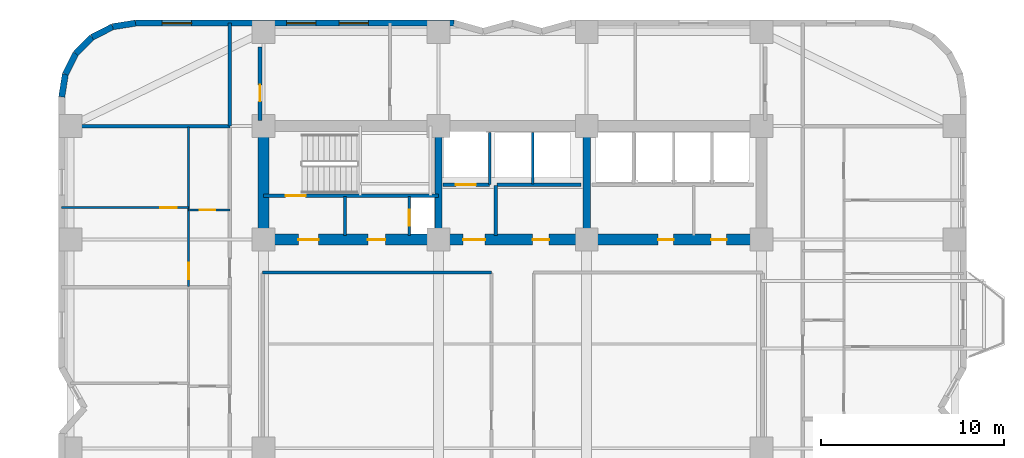
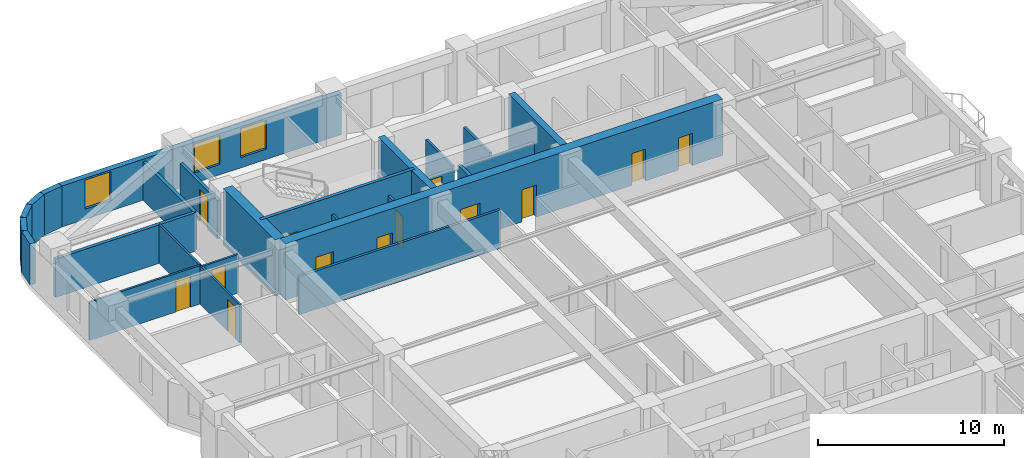
# One storey, part 6 of 9: 25 walls, 13 doors, 3 windows, 16 openings.
"""IFC4 building model written with IfcOpenShell, lengths in metres."""

from ifc_helpers import new_model, si_unit, direction, frame, frame_2d, origin, place, context, subcontext, project, spatial, rectangle, extrude, material, layer, layer_set, type_object, element, fill, save


model = new_model("IFC4")

# Units and contexts
model_context = context("Model", 3, precision=1e-05, world=origin(), true_north=direction((0.0, 1.0)))
body_context = subcontext(model_context, "Body", "Model", "MODEL_VIEW")
ifc_project = project(units=[si_unit("LENGTHUNIT", "METRE"), si_unit("AREAUNIT", "SQUARE_METRE"), si_unit("VOLUMEUNIT", "CUBIC_METRE"), si_unit("PLANEANGLEUNIT", "RADIAN"), si_unit("MASSUNIT", "GRAM", prefix="KILO")], contexts=[model_context])

# Site, building, storey
site_placement = place(None, origin())
site = spatial("IfcSite", under=ifc_project, at=site_placement, CompositionType="ELEMENT")
building_placement = place(site_placement, origin())
building = spatial("IfcBuilding", under=site, at=building_placement, Name="Svetorya Sky Lyceum", CompositionType="ELEMENT")
storey_placement = place(building_placement, frame((0.0, 0.0, 54.699951171875)))
storey = spatial("IfcBuildingStorey", under=building, at=storey_placement, Name="L13", CompositionType="ELEMENT", Elevation=54.699951171875)

# Walls
ifc_material_1 = material(Name="Concrete C40/50", Category="concrete")
ifc_layer_1 = layer(ifc_material_1, 0.39990234375)
ifc_layer_set_1 = layer_set([ifc_layer_1], Name="Concrete C40/50")
wall_type_1 = type_object("IfcWallType", Name="WL-CORE-400", PredefinedType="SHEAR", material=ifc_layer_set_1)
for number, where, z_axis, x_axis, name in (
    (1, (35.14990234375, 39.89990234375, 0.0), (0.0, 0.0, 1.0), (0.0, 1.0, 0.0), "L13 NC Internal Shear Web WEB1"),
    (2, (43.25, 39.89990234375, 0.0), (0.0, 0.0, 1.0), (0.0, 1.0, 0.0), "L13 NC Internal Shear Web WEB2"),
):
    element("IfcWall", number, at=place(storey_placement, frame(where, z_axis=z_axis, x_axis=x_axis)), inside=storey, type_object=wall_type_1, Name=name, PredefinedType="SHEAR", context=body_context, shape_type="SweptSolid", body=[
        extrude(rectangle(XDim=5.60009765625, YDim=0.39990234375, at=frame_2d((2.800048828125, 0.0))), origin(), (0.0, 0.0, 1.0), 3.699951171875),
    ])
ifc_material_2 = material(Name="Concrete C60/75", Category="concrete")
ifc_layer_2 = layer(ifc_material_2, 0.60009765625)
ifc_layer_set_2 = layer_set([ifc_layer_2], Name="Concrete C60/75")
wall_type_2 = type_object("IfcWallType", Name="WL-CORE-600", PredefinedType="SHEAR", material=ifc_layer_set_2)
wall_1_placement = place(storey_placement, frame((25.60009765625, 39.89990234375, 0.0), z_axis=(0.0, 0.0, 1.0), x_axis=(0.0, 1.0, 0.0)))
element("IfcWall", 3, at=wall_1_placement, inside=storey, type_object=wall_type_2, Name="L13 NC West Core Shear Wall", PredefinedType="SHEAR", context=body_context, shape_type="SweptSolid", body=[
    extrude(rectangle(XDim=5.60009765625, YDim=0.60009765625, at=frame_2d((2.800048828125, 0.0))), origin(), (0.0, 0.0, 1.0), 3.699951171875),
])

# Wall, openings, doors
wall_2_placement = place(storey_placement, frame((52.800048828125, 39.60009765625, 0.0), z_axis=(0.0, 0.0, 1.0), x_axis=(-1.0, 0.0, 0.0)))
wall_2 = element("IfcWall", 4, at=wall_2_placement, inside=storey, type_object=wall_type_2, Name="L13 NC Inner Core Shear Wall", PredefinedType="SHEAR", context=body_context, shape_type="SweptSolid", body=[
    extrude(rectangle(XDim=27.199951171875, YDim=0.60009765625, at=frame_2d((13.60009765625, 0.0))), origin(), (0.0, 0.0, 1.0), 3.699951171875),
])
opening_1_placement = place(wall_2_placement, frame((24.199951171875, 0.0, 0.0)))
opening_1 = element("IfcOpeningElement", 5, at=opening_1_placement, cuts=wall_2, Name="Opening D-ST1", PredefinedType="OPENING", context=body_context, shape_type="SweptSolid", body=[
    extrude(rectangle(XDim=1.10009765625, YDim=2.14990234375, at=frame_2d((0.550048828125, 1.074951171875))), frame((0.0, 0.31005859375, 0.0), z_axis=(0.0, -1.0, 0.0), x_axis=(1.0, 0.0, 0.0)), (0.0, 0.0, 1.0), 0.6201171875),
])
opening_2_placement = place(wall_2_placement, frame((20.550048828125, 0.0, 0.0)))
opening_2 = element("IfcOpeningElement", 6, at=opening_2_placement, cuts=wall_2, Name="Opening D-CAC1", PredefinedType="OPENING", context=body_context, shape_type="SweptSolid", body=[
    extrude(rectangle(XDim=0.949951171875, YDim=2.10009765625, at=frame_2d((0.47509765625, 1.050048828125))), frame((0.0, 0.31005859375, 0.0), z_axis=(0.0, -1.0, 0.0), x_axis=(1.0, 0.0, 0.0)), (0.0, 0.0, 1.0), 0.6201171875),
])
opening_3_placement = place(wall_2_placement, frame((15.10009765625, 0.0, 0.0)))
opening_3 = element("IfcOpeningElement", 7, at=opening_3_placement, cuts=wall_2, Name="Opening D-FL1", PredefinedType="OPENING", context=body_context, shape_type="SweptSolid", body=[
    extrude(rectangle(XDim=1.199951171875, YDim=2.14990234375, at=frame_2d((0.60009765625, 1.074951171875))), frame((0.0, 0.31005859375, 0.0), z_axis=(0.0, -1.0, 0.0), x_axis=(1.0, 0.0, 0.0)), (0.0, 0.0, 1.0), 0.6201171875),
])
opening_4_placement = place(wall_2_placement, frame((11.60009765625, 0.0, 0.0)))
opening_4 = element("IfcOpeningElement", 8, at=opening_4_placement, cuts=wall_2, Name="Opening D-RM1", PredefinedType="OPENING", context=body_context, shape_type="SweptSolid", body=[
    extrude(rectangle(XDim=0.89990234375, YDim=2.10009765625, at=frame_2d((0.449951171875, 1.050048828125))), frame((0.0, 0.31005859375, 0.0), z_axis=(0.0, -1.0, 0.0), x_axis=(1.0, 0.0, 0.0)), (0.0, 0.0, 1.0), 0.6201171875),
])
opening_5_placement = place(wall_2_placement, frame((4.800048828125, 0.0, 0.0)))
opening_5 = element("IfcOpeningElement", 9, at=opening_5_placement, cuts=wall_2, Name="Opening D-CWC1", PredefinedType="OPENING", context=body_context, shape_type="SweptSolid", body=[
    extrude(rectangle(XDim=0.85009765625, YDim=2.10009765625, at=frame_2d((0.425048828125, 1.050048828125))), frame((0.0, 0.31005859375, 0.0), z_axis=(0.0, -1.0, 0.0), x_axis=(1.0, 0.0, 0.0)), (0.0, 0.0, 1.0), 0.6201171875),
])
opening_6_placement = place(wall_2_placement, frame((1.89990234375, 0.0, 0.0)))
opening_6 = element("IfcOpeningElement", 10, at=opening_6_placement, cuts=wall_2, Name="Opening D-CWC1", PredefinedType="OPENING", context=body_context, shape_type="SweptSolid", body=[
    extrude(rectangle(XDim=0.85009765625, YDim=2.10009765625, at=frame_2d((0.425048828125, 1.050048828125))), frame((0.0, 0.31005859375, 0.0), z_axis=(0.0, -1.0, 0.0), x_axis=(1.0, 0.0, 0.0)), (0.0, 0.0, 1.0), 0.6201171875),
])
ifc_material_3 = material(Name="Fire-rated galvanized steel core accessible WC door", Category="steel")
door_type_1 = type_object("IfcDoorType", Name="DR-CACC-950", OperationType="SINGLE_SWING_LEFT", PredefinedType="DOOR", material=ifc_material_3)
door_1_placement = place(opening_2_placement, origin())
door_1 = element("IfcDoor", 11, at=door_1_placement, inside=storey, type_object=door_type_1, Name="L13 North Core Accessible WC Door", OperationType="SINGLE_SWING_RIGHT", OverallHeight=2.10009765625, OverallWidth=0.949951171875, PredefinedType="DOOR", context=body_context, shape_type="SweptSolid", body=[
    extrude(rectangle(XDim=0.949951171875, YDim=2.10009765625, at=frame_2d((0.47509765625, 1.050048828125))), frame((0.0, 0.02490234375, 0.0), z_axis=(0.0, -1.0, 0.0), x_axis=(1.0, 0.0, 0.0)), (0.0, 0.0, 1.0), 0.050048828125),
])
fill(opening_2, door_1)
ifc_material_4 = material(Name="Fire-rated galvanized steel core service closet door", Category="steel")
door_type_2 = type_object("IfcDoorType", Name="DR-CWET-850", OperationType="SINGLE_SWING_LEFT", PredefinedType="DOOR", material=ifc_material_4)
door_2_placement = place(opening_5_placement, origin())
door_2 = element("IfcDoor", 12, at=door_2_placement, inside=storey, type_object=door_type_2, Name="L13 North Pantry Door", OperationType="SINGLE_SWING_LEFT", OverallHeight=2.10009765625, OverallWidth=0.85009765625, PredefinedType="DOOR", context=body_context, shape_type="SweptSolid", body=[
    extrude(rectangle(XDim=0.85009765625, YDim=2.10009765625, at=frame_2d((0.425048828125, 1.050048828125))), frame((0.0, 0.02490234375, 0.0), z_axis=(0.0, -1.0, 0.0), x_axis=(1.0, 0.0, 0.0)), (0.0, 0.0, 1.0), 0.050048828125),
])
fill(opening_5, door_2)
door_3_placement = place(opening_6_placement, origin())
door_3 = element("IfcDoor", 13, at=door_3_placement, inside=storey, type_object=door_type_2, Name="L13 North Laundry Door", OperationType="SINGLE_SWING_RIGHT", OverallHeight=2.10009765625, OverallWidth=0.85009765625, PredefinedType="DOOR", context=body_context, shape_type="SweptSolid", body=[
    extrude(rectangle(XDim=0.85009765625, YDim=2.10009765625, at=frame_2d((0.425048828125, 1.050048828125))), frame((0.0, 0.02490234375, 0.0), z_axis=(0.0, -1.0, 0.0), x_axis=(1.0, 0.0, 0.0)), (0.0, 0.0, 1.0), 0.050048828125),
])
fill(opening_6, door_3)
ifc_material_5 = material(Name="Powder-coated insulated galvanized stair fire door")
door_type_3 = type_object("IfcDoorType", Name="DR-FIRE-1100", OperationType="SINGLE_SWING_LEFT", PredefinedType="DOOR", material=ifc_material_5)
door_4_placement = place(opening_1_placement, origin())
door_4 = element("IfcDoor", 14, at=door_4_placement, inside=storey, type_object=door_type_3, Name="L13 North Stair Airlock Door", OperationType="SINGLE_SWING_LEFT", OverallHeight=2.14990234375, OverallWidth=1.10009765625, PredefinedType="DOOR", context=body_context, shape_type="SweptSolid", body=[
    extrude(rectangle(XDim=1.10009765625, YDim=2.14990234375, at=frame_2d((0.550048828125, 1.074951171875))), frame((0.0, 0.02490234375, 0.0), z_axis=(0.0, -1.0, 0.0), x_axis=(1.0, 0.0, 0.0)), (0.0, 0.0, 1.0), 0.050048828125),
])
fill(opening_1, door_4)
ifc_material_6 = material(Name="Powder-coated insulated galvanized fire door")
door_type_4 = type_object("IfcDoorType", Name="DR-FIRE-1200", OperationType="SINGLE_SWING_LEFT", PredefinedType="DOOR", material=ifc_material_6)
door_5_placement = place(opening_3_placement, origin())
door_5 = element("IfcDoor", 15, at=door_5_placement, inside=storey, type_object=door_type_4, Name="L13 North Firefighting Lift Lobby Door", OperationType="SINGLE_SWING_RIGHT", OverallHeight=2.14990234375, OverallWidth=1.199951171875, PredefinedType="DOOR", context=body_context, shape_type="SweptSolid", body=[
    extrude(rectangle(XDim=1.199951171875, YDim=2.14990234375, at=frame_2d((0.60009765625, 1.074951171875))), frame((0.0, 0.02490234375, 0.0), z_axis=(0.0, -1.0, 0.0), x_axis=(1.0, 0.0, 0.0)), (0.0, 0.0, 1.0), 0.050048828125),
])
fill(opening_3, door_5)
ifc_material_7 = material(Name="Lacquered birch veneer internal door")
door_type_5 = type_object("IfcDoorType", Name="DR-INT-900", OperationType="SINGLE_SWING_LEFT", PredefinedType="DOOR", material=ifc_material_7)
door_6_placement = place(opening_4_placement, origin())
door_6 = element("IfcDoor", 16, at=door_6_placement, inside=storey, type_object=door_type_5, Name="L13 North Laundry Door", OperationType="SINGLE_SWING_RIGHT", OverallHeight=2.10009765625, OverallWidth=0.89990234375, PredefinedType="DOOR", context=body_context, shape_type="SweptSolid", body=[
    extrude(rectangle(XDim=0.89990234375, YDim=2.10009765625, at=frame_2d((0.449951171875, 1.050048828125))), frame((0.0, 0.02490234375, 0.0), z_axis=(0.0, -1.0, 0.0), x_axis=(1.0, 0.0, 0.0)), (0.0, 0.0, 1.0), 0.050048828125),
])
fill(opening_4, door_6)

# Wall, openings, windows
ifc_material_8 = material(Name="Putilovo limestone rainscreen on autoclaved cellular masonry", Category="masonry")
ifc_layer_3 = layer(ifc_material_8, 0.340087890625)
ifc_layer_set_3 = layer_set([ifc_layer_3], Name="Putilovo limestone rainscreen on autoclaved cellular masonry")
wall_type_3 = type_object("IfcWallType", Name="WL-EXT-340", PredefinedType="SOLIDWALL", material=ifc_layer_set_3)
wall_3_placement = place(storey_placement, frame((36.0, 51.429931640625, 0.0), z_axis=(0.0, 0.0, 1.0), x_axis=(-1.0, 0.0, 0.0)))
wall_3 = element("IfcWall", 17, at=wall_3_placement, inside=storey, type_object=wall_type_3, Name="L13 Limestone Exterior Wall 34M", PredefinedType="SOLIDWALL", context=body_context, shape_type="SweptSolid", body=[
    extrude(rectangle(XDim=17.39990234375, YDim=0.340087890625, at=frame_2d((8.699951171875, 0.0))), origin(), (0.0, 0.0, 1.0), 2.699951171875),
])
opening_7_placement = place(wall_3_placement, frame((4.679931640625, 0.0, 0.679931640625)))
opening_7 = element("IfcOpeningElement", 18, at=opening_7_placement, cuts=wall_3, Name="Opening W-R4", PredefinedType="OPENING", context=body_context, shape_type="SweptSolid", body=[
    extrude(rectangle(XDim=1.60009765625, YDim=1.89990234375, at=frame_2d((0.800048828125, 0.949951171875))), frame((0.0, 0.179931640625, 0.0), z_axis=(0.0, -1.0, 0.0), x_axis=(1.0, 0.0, 0.0)), (0.0, 0.0, 1.0), 0.360107421875),
])
opening_8_placement = place(wall_3_placement, frame((7.550048828125, 0.0, 0.679931640625)))
opening_8 = element("IfcOpeningElement", 19, at=opening_8_placement, cuts=wall_3, Name="Opening W-R4", PredefinedType="OPENING", context=body_context, shape_type="SweptSolid", body=[
    extrude(rectangle(XDim=1.60009765625, YDim=1.89990234375, at=frame_2d((0.800048828125, 0.949951171875))), frame((0.0, 0.179931640625, 0.0), z_axis=(0.0, -1.0, 0.0), x_axis=(1.0, 0.0, 0.0)), (0.0, 0.0, 1.0), 0.360107421875),
])
opening_9_placement = place(wall_3_placement, frame((14.340087890625, 0.0, 0.679931640625)))
opening_9 = element("IfcOpeningElement", 20, at=opening_9_placement, cuts=wall_3, Name="Opening W-R4", PredefinedType="OPENING", context=body_context, shape_type="SweptSolid", body=[
    extrude(rectangle(XDim=1.60009765625, YDim=1.89990234375, at=frame_2d((0.800048828125, 0.949951171875))), frame((0.0, 0.179931640625, 0.0), z_axis=(0.0, -1.0, 0.0), x_axis=(1.0, 0.0, 0.0)), (0.0, 0.0, 1.0), 0.360107421875),
])
ifc_material_9 = material(Name="Thermally broken aluminium frame with triple low-E glazing", Category="aluminium")
window_type = type_object("IfcWindowType", Name="WN-RES-160", PartitioningType="DOUBLE_PANEL_VERTICAL", PredefinedType="WINDOW", material=ifc_material_9)
window_1_placement = place(opening_7_placement, origin())
window_1 = element("IfcWindow", 21, at=window_1_placement, inside=storey, type_object=window_type, Name="L13 Facade Window W-R4.34M.1", OverallHeight=1.89990234375, OverallWidth=1.60009765625, PartitioningType="SINGLE_PANEL", PredefinedType="WINDOW", context=body_context, shape_type="SweptSolid", body=[
    extrude(rectangle(XDim=1.60009765625, YDim=1.89990234375, at=frame_2d((0.800048828125, 0.949951171875))), frame((0.0, 0.030029296875, 0.0), z_axis=(0.0, -1.0, 0.0), x_axis=(1.0, 0.0, 0.0)), (0.0, 0.0, 1.0), 0.06005859375),
])
fill(opening_7, window_1)
window_2_placement = place(opening_8_placement, origin())
window_2 = element("IfcWindow", 22, at=window_2_placement, inside=storey, type_object=window_type, Name="L13 Facade Window W-R4.34M.2", OverallHeight=1.89990234375, OverallWidth=1.60009765625, PartitioningType="SINGLE_PANEL", PredefinedType="WINDOW", context=body_context, shape_type="SweptSolid", body=[
    extrude(rectangle(XDim=1.60009765625, YDim=1.89990234375, at=frame_2d((0.800048828125, 0.949951171875))), frame((0.0, 0.030029296875, 0.0), z_axis=(0.0, -1.0, 0.0), x_axis=(1.0, 0.0, 0.0)), (0.0, 0.0, 1.0), 0.06005859375),
])
fill(opening_8, window_2)
window_3_placement = place(opening_9_placement, origin())
window_3 = element("IfcWindow", 23, at=window_3_placement, inside=storey, type_object=window_type, Name="L13 Facade Window W-R4.34M.3", OverallHeight=1.89990234375, OverallWidth=1.60009765625, PartitioningType="SINGLE_PANEL", PredefinedType="WINDOW", context=body_context, shape_type="SweptSolid", body=[
    extrude(rectangle(XDim=1.60009765625, YDim=1.89990234375, at=frame_2d((0.800048828125, 0.949951171875))), frame((0.0, 0.030029296875, 0.0), z_axis=(0.0, -1.0, 0.0), x_axis=(1.0, 0.0, 0.0)), (0.0, 0.0, 1.0), 0.06005859375),
])
fill(opening_9, window_3)

# Walls
wall_4_placement = place(storey_placement, frame((18.60009765625, 51.429931640625, 0.0), z_axis=(0.0, 0.0, 1.0), x_axis=(-0.98771582066, -0.156260864002, 0.0)))
element("IfcWall", 24, at=wall_4_placement, inside=storey, type_object=wall_type_3, Name="L13 Limestone Exterior Wall 35M", PredefinedType="SOLIDWALL", context=body_context, shape_type="SweptSolid", body=[
    extrude(rectangle(XDim=1.2607421875, YDim=0.340087890625, at=frame_2d((0.63037109375, 0.0))), origin(), (0.0, 0.0, 1.0), 2.699951171875),
])
for number, where, z_axis, x_axis, name in (
    (25, (17.354736328125, 51.23291015625, 0.0), (0.0, 0.0, 1.0), (-0.890993689142, -0.454015689056, 0.0), "L13 Limestone Exterior Wall 36M"),
    (26, (16.231201171875, 50.660400390625, 0.0), (0.0, 0.0, 1.0), (-0.707106781187, -0.707106781187, 0.0), "L13 Limestone Exterior Wall 37M"),
    (27, (15.339599609375, 49.768798828125, 0.0), (0.0, 0.0, 1.0), (-0.454015689056, -0.890993689142, 0.0), "L13 Limestone Exterior Wall 38M"),
):
    element("IfcWall", number, at=place(storey_placement, frame(where, z_axis=z_axis, x_axis=x_axis)), inside=storey, type_object=wall_type_3, Name=name, PredefinedType="SOLIDWALL", context=body_context, shape_type="SweptSolid", body=[
        extrude(rectangle(XDim=1.260986328125, YDim=0.340087890625, at=frame_2d((0.63037109375, 0.0))), origin(), (0.0, 0.0, 1.0), 2.699951171875),
    ])
wall_5_placement = place(storey_placement, frame((14.76708984375, 48.645263671875, 0.0), z_axis=(0.0, 0.0, 1.0), x_axis=(-0.156260864002, -0.98771582066, 0.0)))
element("IfcWall", 28, at=wall_5_placement, inside=storey, type_object=wall_type_3, Name="L13 Limestone Exterior Wall 39M", PredefinedType="SOLIDWALL", context=body_context, shape_type="SweptSolid", body=[
    extrude(rectangle(XDim=1.2607421875, YDim=0.340087890625, at=frame_2d((0.63037109375, 0.0))), origin(), (0.0, 0.0, 1.0), 2.699951171875),
])

# Wall, opening, door
ifc_material_10 = material(Name="Twin-stud galvanized framing with double fireboard", Category="gypsum")
ifc_layer_4 = layer(ifc_material_10, 0.1201171875)
ifc_layer_set_4 = layer_set([ifc_layer_4], Name="Twin-stud galvanized framing with double fireboard")
wall_type_4 = type_object("IfcWallType", Name="WL-PART-120", PredefinedType="PARTITIONING", material=ifc_layer_set_4)
wall_6_placement = place(storey_placement, frame((21.5, 41.219970703125, 0.0), z_axis=(0.0, 0.0, 1.0), x_axis=(1.0, 0.0, 0.0)))
wall_6 = element("IfcWall", 29, at=wall_6_placement, inside=storey, type_object=wall_type_4, Name="L13 Interior Partition W4-WH1", PredefinedType="PARTITIONING", context=body_context, shape_type="SweptSolid", body=[
    extrude(rectangle(XDim=2.25, YDim=0.1201171875, at=frame_2d((1.125, 0.0))), origin(), (0.0, 0.0, 1.0), 2.530029296875),
])
opening_10_placement = place(wall_6_placement, frame((0.60009765625, 0.0, 0.0)))
opening_10 = element("IfcOpeningElement", 30, at=opening_10_placement, cuts=wall_6, Name="Opening D-BT1", PredefinedType="OPENING", context=body_context, shape_type="SweptSolid", body=[
    extrude(rectangle(XDim=0.85009765625, YDim=2.10009765625, at=frame_2d((0.425048828125, 1.050048828125))), frame((0.0, 0.070068359375, 0.0), z_axis=(0.0, -1.0, 0.0), x_axis=(1.0, 0.0, 0.0)), (0.0, 0.0, 1.0), 0.14013671875),
])
ifc_material_11 = material(Name="Moisture-resistant laminate bathroom door")
door_type_6 = type_object("IfcDoorType", Name="DR-WET-850", OperationType="SINGLE_SWING_LEFT", PredefinedType="DOOR", material=ifc_material_11)
door_7_placement = place(opening_10_placement, origin())
door_7 = element("IfcDoor", 31, at=door_7_placement, inside=storey, type_object=door_type_6, Name="Apartment W4 Bathroom Door", OperationType="SINGLE_SWING_RIGHT", OverallHeight=2.10009765625, OverallWidth=0.85009765625, PredefinedType="DOOR", context=body_context, shape_type="SweptSolid", body=[
    extrude(rectangle(XDim=0.85009765625, YDim=2.10009765625, at=frame_2d((0.425048828125, 1.050048828125))), frame((0.0, 0.02490234375, 0.0), z_axis=(0.0, -1.0, 0.0), x_axis=(1.0, 0.0, 0.0)), (0.0, 0.0, 1.0), 0.050048828125),
])
fill(opening_10, door_7)

wall_7_placement = place(storey_placement, frame((14.570068359375, 41.35009765625, 0.0), z_axis=(0.0, 0.0, 1.0), x_axis=(1.0, 0.0, 0.0)))
wall_7 = element("IfcWall", 32, at=wall_7_placement, inside=storey, type_object=wall_type_4, Name="L13 Interior Partition W4-WL1", PredefinedType="PARTITIONING", context=body_context, shape_type="SweptSolid", body=[
    extrude(rectangle(XDim=6.929931640625, YDim=0.1201171875, at=frame_2d((3.46484375, 0.0))), origin(), (0.0, 0.0, 1.0), 2.530029296875),
])
opening_11_placement = place(wall_7_placement, frame((5.3798828125, 0.0, 0.0)))
opening_11 = element("IfcOpeningElement", 33, at=opening_11_placement, cuts=wall_7, Name="Opening D-RM1", PredefinedType="OPENING", context=body_context, shape_type="SweptSolid", body=[
    extrude(rectangle(XDim=0.89990234375, YDim=2.10009765625, at=frame_2d((0.449951171875, 1.050048828125))), frame((0.0, 0.070068359375, 0.0), z_axis=(0.0, -1.0, 0.0), x_axis=(1.0, 0.0, 0.0)), (0.0, 0.0, 1.0), 0.14013671875),
])
door_8_placement = place(opening_11_placement, origin())
door_8 = element("IfcDoor", 34, at=door_8_placement, inside=storey, type_object=door_type_5, Name="Apartment W4 Bedroom 1 Door", OperationType="SINGLE_SWING_RIGHT", OverallHeight=2.10009765625, OverallWidth=0.89990234375, PredefinedType="DOOR", context=body_context, shape_type="SweptSolid", body=[
    extrude(rectangle(XDim=0.89990234375, YDim=2.10009765625, at=frame_2d((0.449951171875, 1.050048828125))), frame((0.0, 0.02490234375, 0.0), z_axis=(0.0, -1.0, 0.0), x_axis=(1.0, 0.0, 0.0)), (0.0, 0.0, 1.0), 0.050048828125),
])
fill(opening_11, door_8)

wall_8_placement = place(storey_placement, frame((21.5, 37.0400390625, 0.0), z_axis=(0.0, 0.0, 1.0), x_axis=(0.0, 1.0, 0.0)))
wall_8 = element("IfcWall", 35, at=wall_8_placement, inside=storey, type_object=wall_type_4, Name="L13 Interior Partition W4-WV", PredefinedType="PARTITIONING", context=body_context, shape_type="SweptSolid", body=[
    extrude(rectangle(XDim=8.719970703125, YDim=0.1201171875, at=frame_2d((4.35986328125, 0.0))), origin(), (0.0, 0.0, 1.0), 2.530029296875),
])
opening_12_placement = place(wall_8_placement, frame((0.409912109375, 0.0, 0.0)))
opening_12 = element("IfcOpeningElement", 36, at=opening_12_placement, cuts=wall_8, Name="Opening D-RM1", PredefinedType="OPENING", context=body_context, shape_type="SweptSolid", body=[
    extrude(rectangle(XDim=0.89990234375, YDim=2.10009765625, at=frame_2d((0.449951171875, 1.050048828125))), frame((0.0, 0.070068359375, 0.0), z_axis=(0.0, -1.0, 0.0), x_axis=(1.0, 0.0, 0.0)), (0.0, 0.0, 1.0), 0.14013671875),
])
door_9_placement = place(opening_12_placement, origin())
door_9 = element("IfcDoor", 37, at=door_9_placement, inside=storey, type_object=door_type_5, Name="Apartment W4 Living Door", OperationType="SINGLE_SWING_LEFT", OverallHeight=2.10009765625, OverallWidth=0.89990234375, PredefinedType="DOOR", context=body_context, shape_type="SweptSolid", body=[
    extrude(rectangle(XDim=0.89990234375, YDim=2.10009765625, at=frame_2d((0.449951171875, 1.050048828125))), frame((0.0, 0.02490234375, 0.0), z_axis=(0.0, -1.0, 0.0), x_axis=(1.0, 0.0, 0.0)), (0.0, 0.0, 1.0), 0.050048828125),
])
fill(opening_12, door_9)

ifc_material_12 = material(Name="Autoclaved cellular masonry blockwork with acoustic render", Category="masonry")
ifc_layer_5 = layer(ifc_material_12, 0.14990234375)
ifc_layer_set_5 = layer_set([ifc_layer_5], Name="Autoclaved cellular masonry blockwork with acoustic render")
wall_type_5 = type_object("IfcWallType", Name="WL-PART-150", PredefinedType="PARTITIONING", material=ifc_layer_set_5)
wall_9_placement = place(storey_placement, frame((33.550048828125, 39.820068359375, 0.0), z_axis=(0.0, 0.0, 1.0), x_axis=(0.0, 1.0, 0.0)))
wall_9 = element("IfcWall", 38, at=wall_9_placement, inside=storey, type_object=wall_type_5, Name="L13 Interior Partition NC-RSRW", PredefinedType="PARTITIONING", context=body_context, shape_type="SweptSolid", body=[
    extrude(rectangle(XDim=2.1298828125, YDim=0.14990234375, at=frame_2d((1.06494140625, 0.0))), origin(), (0.0, 0.0, 1.0), 2.530029296875),
])
opening_13_placement = place(wall_9_placement, frame((0.550048828125, 0.0, 0.0)))
opening_13 = element("IfcOpeningElement", 39, at=opening_13_placement, cuts=wall_9, Name="Opening D-SH1", PredefinedType="OPENING", context=body_context, shape_type="SweptSolid", body=[
    extrude(rectangle(XDim=0.85009765625, YDim=2.050048828125, at=frame_2d((0.425048828125, 1.02490234375))), frame((0.0, 0.0849609375, 0.0), z_axis=(0.0, -1.0, 0.0), x_axis=(1.0, 0.0, 0.0)), (0.0, 0.0, 1.0), 0.169921875),
])
ifc_material_13 = material(Name="Insulated galvanized riser inspection fire door")
door_type_7 = type_object("IfcDoorType", Name="DR-SHFT-850", OperationType="SINGLE_SWING_LEFT", PredefinedType="TRAPDOOR", material=ifc_material_13)
door_10_placement = place(opening_13_placement, origin())
door_10 = element("IfcDoor", 40, at=door_10_placement, inside=storey, type_object=door_type_7, Name="L13 North Riser Access Door", OperationType="SINGLE_SWING_LEFT", OverallHeight=2.050048828125, OverallWidth=0.85009765625, PredefinedType="TRAPDOOR", context=body_context, shape_type="SweptSolid", body=[
    extrude(rectangle(XDim=0.85009765625, YDim=2.050048828125, at=frame_2d((0.425048828125, 1.02490234375))), frame((0.0, 0.02490234375, 0.0), z_axis=(0.0, -1.0, 0.0), x_axis=(1.0, 0.0, 0.0)), (0.0, 0.0, 1.0), 0.050048828125),
])
fill(opening_13, door_10)

# Walls
wall_10_placement = place(storey_placement, frame((30.050048828125, 39.820068359375, 0.0), z_axis=(0.0, 0.0, 1.0), x_axis=(0.0, 1.0, 0.0)))
element("IfcWall", 41, at=wall_10_placement, inside=storey, type_object=wall_type_5, Name="L13 Interior Partition NC-NWD1", PredefinedType="PARTITIONING", context=body_context, shape_type="SweptSolid", body=[
    extrude(rectangle(XDim=2.1298828125, YDim=0.14990234375, at=frame_2d((1.06494140625, 0.0))), origin(), (0.0, 0.0, 1.0), 2.530029296875),
])
wall_11_placement = place(storey_placement, frame((37.949951171875, 42.60009765625, 0.0), z_axis=(0.0, 0.0, 1.0), x_axis=(0.0, 1.0, 0.0)))
element("IfcWall", 42, at=wall_11_placement, inside=storey, type_object=wall_type_5, Name="L13 Interior Partition NC-FL1SIDE", PredefinedType="PARTITIONING", context=body_context, shape_type="SweptSolid", body=[
    extrude(rectangle(XDim=2.849853515625, YDim=0.14990234375, at=frame_2d((1.4248046875, 0.0))), origin(), (0.0, 0.0, 1.0), 2.530029296875),
])
wall_12_placement = place(storey_placement, frame((40.300048828125, 42.64990234375, 0.0), z_axis=(0.0, 0.0, 1.0), x_axis=(0.0, 1.0, 0.0)))
element("IfcWall", 43, at=wall_12_placement, inside=storey, type_object=wall_type_5, Name="L13 Interior Partition NC-PM-D1", PredefinedType="PARTITIONING", context=body_context, shape_type="SweptSolid", body=[
    extrude(rectangle(XDim=2.800048828125, YDim=0.14990234375, at=frame_2d((1.39990234375, 0.0))), origin(), (0.0, 0.0, 1.0), 2.530029296875),
])
wall_13_placement = place(storey_placement, frame((25.550048828125, 37.800048828125, 0.0), z_axis=(0.0, 0.0, 1.0), x_axis=(1.0, 0.0, 0.0)))
element("IfcWall", 44, at=wall_13_placement, inside=storey, type_object=wall_type_5, Name="L13 Interior Partition CN-MID-W", PredefinedType="PARTITIONING", context=body_context, shape_type="SweptSolid", body=[
    extrude(rectangle(XDim=12.5, YDim=0.14990234375, at=frame_2d((6.25, 0.0))), origin(), (0.0, 0.0, 1.0), 2.530029296875),
])

# Wall, opening, door
ifc_material_14 = material(Name="Autoclaved cellular masonry blockwork with gypsum plaster", Category="masonry")
ifc_layer_6 = layer(ifc_material_14, 0.199951171875)
ifc_layer_set_6 = layer_set([ifc_layer_6], Name="Autoclaved cellular masonry blockwork with gypsum plaster")
wall_type_6 = type_object("IfcWallType", Name="WL-PART-200", PredefinedType="PARTITIONING", material=ifc_layer_set_6)
wall_14_placement = place(storey_placement, frame((37.949951171875, 42.60009765625, 0.0), z_axis=(0.0, 0.0, 1.0), x_axis=(-1.0, 0.0, 0.0)))
wall_14 = element("IfcWall", 45, at=wall_14_placement, inside=storey, type_object=wall_type_6, Name="L13 Interior Partition NC-FL1W", PredefinedType="PARTITIONING", context=body_context, shape_type="SweptSolid", body=[
    extrude(rectangle(XDim=2.550048828125, YDim=0.199951171875, at=frame_2d((1.27490234375, 0.0))), origin(), (0.0, 0.0, 1.0), 2.300048828125),
])
opening_14_placement = place(wall_14_placement, frame((0.75, 0.0, 0.0)))
opening_14 = element("IfcOpeningElement", 46, at=opening_14_placement, cuts=wall_14, Name="Opening LD-FL", PredefinedType="OPENING", context=body_context, shape_type="SweptSolid", body=[
    extrude(rectangle(XDim=1.10009765625, YDim=2.14990234375, at=frame_2d((0.550048828125, 1.074951171875))), frame((0.0, 0.10986328125, 0.0), z_axis=(0.0, -1.0, 0.0), x_axis=(1.0, 0.0, 0.0)), (0.0, 0.0, 1.0), 0.219970703125),
])
ifc_material_15 = material(Name="Fire-rated stainless AISI 304 firefighting lift landing door")
door_type_8 = type_object("IfcDoorType", Name="DR-LIFT-1100", OperationType="SLIDING_TO_LEFT", PredefinedType="DOOR", material=ifc_material_15)
door_11_placement = place(opening_14_placement, origin())
door_11 = element("IfcDoor", 47, at=door_11_placement, inside=storey, type_object=door_type_8, Name="L13 Firefighting Lift FL1 Landing Door", OperationType="SLIDING_TO_LEFT", OverallHeight=2.14990234375, OverallWidth=1.10009765625, PredefinedType="DOOR", context=body_context, shape_type="SweptSolid", body=[
    extrude(rectangle(XDim=1.10009765625, YDim=2.14990234375, at=frame_2d((0.550048828125, 1.074951171875))), frame((0.0, 0.02490234375, 0.0), z_axis=(0.0, -1.0, 0.0), x_axis=(1.0, 0.0, 0.0)), (0.0, 0.0, 1.0), 0.050048828125),
])
fill(opening_14, door_11)

# Walls
wall_15_placement = place(storey_placement, frame((38.280029296875, 39.820068359375, 0.0), z_axis=(0.0, 0.0, 1.0), x_axis=(0.0, 1.0, 0.0)))
element("IfcWall", 48, at=wall_15_placement, inside=storey, type_object=wall_type_6, Name="L13 Interior Partition NC-FFLDIV", PredefinedType="PARTITIONING", context=body_context, shape_type="SweptSolid", body=[
    extrude(rectangle(XDim=2.72998046875, YDim=0.199951171875, at=frame_2d((1.364990234375, 0.0))), origin(), (0.0, 0.0, 1.0), 2.530029296875),
])
wall_16_placement = place(storey_placement, frame((42.949951171875, 42.60009765625, 0.0), z_axis=(0.0, 0.0, 1.0), x_axis=(-1.0, 0.0, 0.0)))
element("IfcWall", 49, at=wall_16_placement, inside=storey, type_object=wall_type_6, Name="L13 Interior Partition NC-PM12W", PredefinedType="PARTITIONING", context=body_context, shape_type="SweptSolid", body=[
    extrude(rectangle(XDim=4.599853515625, YDim=0.199951171875, at=frame_2d((2.2998046875, 0.0))), origin(), (0.0, 0.0, 1.0), 2.300048828125),
])
wall_17_placement = place(storey_placement, frame((14.989990234375, 45.800048828125, 0.0), z_axis=(0.0, 0.0, 1.0), x_axis=(1.0, 0.0, 0.0)))
element("IfcWall", 50, at=wall_17_placement, inside=storey, type_object=wall_type_6, Name="L13 Interior Partition W-CAP-N", PredefinedType="PARTITIONING", context=body_context, shape_type="SweptSolid", body=[
    extrude(rectangle(XDim=8.760009765625, YDim=0.199951171875, at=frame_2d((4.3798828125, 0.0))), origin(), (0.0, 0.0, 1.0), 2.530029296875),
])
wall_18_placement = place(storey_placement, frame((23.75, 45.800048828125, 0.0), z_axis=(0.0, 0.0, 1.0), x_axis=(0.0, 1.0, 0.0)))
element("IfcWall", 51, at=wall_18_placement, inside=storey, type_object=wall_type_6, Name="L13 Interior Partition WC-NW-END", PredefinedType="PARTITIONING", context=body_context, shape_type="SweptSolid", body=[
    extrude(rectangle(XDim=5.6298828125, YDim=0.199951171875, at=frame_2d((2.81494140625, 0.0))), origin(), (0.0, 0.0, 1.0), 2.530029296875),
])

# Wall, opening, door
wall_19_placement = place(storey_placement, frame((25.39990234375, 46.10009765625, 0.0), z_axis=(0.0, 0.0, 1.0), x_axis=(0.0, 1.0, 0.0)))
wall_19 = element("IfcWall", 52, at=wall_19_placement, inside=storey, type_object=wall_type_6, Name="L13 Interior Partition N-EW", PredefinedType="PARTITIONING", context=body_context, shape_type="SweptSolid", body=[
    extrude(rectangle(XDim=4.02978515625, YDim=0.199951171875, at=frame_2d((2.014892578125, 0.0))), origin(), (0.0, 0.0, 1.0), 2.530029296875),
])
opening_15_placement = place(wall_19_placement, frame((1.050048828125, 0.0, 0.0)))
opening_15 = element("IfcOpeningElement", 53, at=opening_15_placement, cuts=wall_19, Name="Opening D-RM1", PredefinedType="OPENING", context=body_context, shape_type="SweptSolid", body=[
    extrude(rectangle(XDim=0.89990234375, YDim=2.10009765625, at=frame_2d((0.449951171875, 1.050048828125))), frame((0.0, 0.10986328125, 0.0), z_axis=(0.0, -1.0, 0.0), x_axis=(1.0, 0.0, 0.0)), (0.0, 0.0, 1.0), 0.219970703125),
])
door_12_placement = place(opening_15_placement, origin())
door_12 = element("IfcDoor", 54, at=door_12_placement, inside=storey, type_object=door_type_5, Name="L13 North Study Door", OperationType="SINGLE_SWING_RIGHT", OverallHeight=2.10009765625, OverallWidth=0.89990234375, PredefinedType="DOOR", context=body_context, shape_type="SweptSolid", body=[
    extrude(rectangle(XDim=0.89990234375, YDim=2.10009765625, at=frame_2d((0.449951171875, 1.050048828125))), frame((0.0, 0.02490234375, 0.0), z_axis=(0.0, -1.0, 0.0), x_axis=(1.0, 0.0, 0.0)), (0.0, 0.0, 1.0), 0.050048828125),
])
fill(opening_15, door_12)

ifc_material_16 = material(Name="Concrete C50/60", Category="concrete")
ifc_layer_7 = layer(ifc_material_16, 0.199951171875)
ifc_layer_set_7 = layer_set([ifc_layer_7], Name="Concrete C50/60")
wall_type_7 = type_object("IfcWallType", Name="WL-SHW-200", PredefinedType="SHEAR", material=ifc_layer_set_7)
wall_20_placement = place(storey_placement, frame((35.14990234375, 42.0, 0.0), z_axis=(0.0, 0.0, 1.0), x_axis=(-1.0, 0.0, 0.0)))
wall_20 = element("IfcWall", 55, at=wall_20_placement, inside=storey, type_object=wall_type_7, Name="L13 Structural Stair Shaft Wall NC-STW", PredefinedType="SHEAR", context=body_context, shape_type="SweptSolid", body=[
    extrude(rectangle(XDim=9.5498046875, YDim=0.199951171875, at=frame_2d((4.77490234375, 0.0))), origin(), (0.0, 0.0, 1.0), 3.699951171875),
])
opening_16_placement = place(wall_20_placement, frame((7.25, 0.0, 0.0)))
opening_16 = element("IfcOpeningElement", 56, at=opening_16_placement, cuts=wall_20, Name="Opening D-ST1", PredefinedType="OPENING", context=body_context, shape_type="SweptSolid", body=[
    extrude(rectangle(XDim=1.10009765625, YDim=2.14990234375, at=frame_2d((0.550048828125, 1.074951171875))), frame((0.0, 0.10986328125, 0.0), z_axis=(0.0, -1.0, 0.0), x_axis=(1.0, 0.0, 0.0)), (0.0, 0.0, 1.0), 0.219970703125),
])
door_13_placement = place(opening_16_placement, origin())
door_13 = element("IfcDoor", 57, at=door_13_placement, inside=storey, type_object=door_type_3, Name="L13 Stair ST-N Vestibule Fire Door", OperationType="SINGLE_SWING_RIGHT", OverallHeight=2.14990234375, OverallWidth=1.10009765625, PredefinedType="DOOR", context=body_context, shape_type="SweptSolid", body=[
    extrude(rectangle(XDim=1.10009765625, YDim=2.14990234375, at=frame_2d((0.550048828125, 1.074951171875))), frame((0.0, 0.02490234375, 0.0), z_axis=(0.0, -1.0, 0.0), x_axis=(1.0, 0.0, 0.0)), (0.0, 0.0, 1.0), 0.050048828125),
])
fill(opening_16, door_13)

save(model, "model.ifc")
